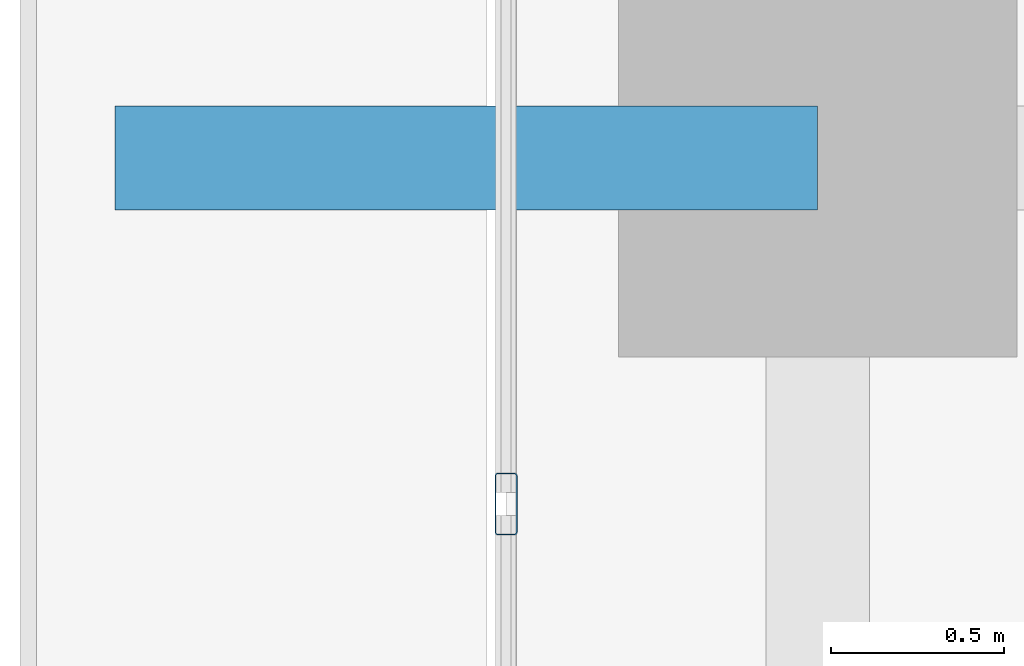
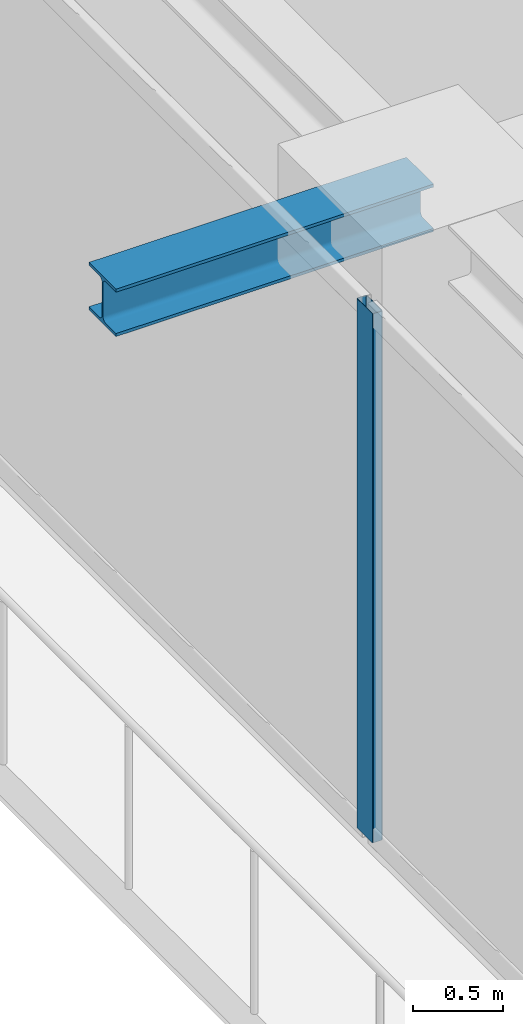
# One storey, part 9 of 38: 1 beam, 1 member, 1 element without a shape of its own.
"""IFC4 building model written with IfcOpenShell, lengths in metres."""

from ifc_helpers import new_model, si_unit, direction, frame, origin, origin_2d, place, context, subcontext, project, spatial, hollow_rectangle, i_section, extrude, source, transform, mapped, material, layer, layer_set, material_profile, profile_set, type_object, element, aggregate, save


model = new_model("IFC4")

# Units and contexts
model_context = context("Model", 3, precision=1e-05, world=origin(), true_north=direction((0.0, 1.0)))
body_context = subcontext(model_context, "Body", "Model", "MODEL_VIEW")
ifc_project = project(units=[si_unit("LENGTHUNIT", "METRE"), si_unit("AREAUNIT", "SQUARE_METRE"), si_unit("VOLUMEUNIT", "CUBIC_METRE"), si_unit("PLANEANGLEUNIT", "RADIAN"), si_unit("MASSUNIT", "GRAM", prefix="KILO")], contexts=[model_context])

# Site, building, storey
site_placement = place(None, origin())
site = spatial("IfcSite", under=ifc_project, at=site_placement, CompositionType="ELEMENT")
building_placement = place(site_placement, origin())
building = spatial("IfcBuilding", under=site, at=building_placement, Name="Serunith Strait Residences", CompositionType="ELEMENT")
storey_placement = place(building_placement, frame((0.0, 0.0, 229.699951171875)))
storey = spatial("IfcBuildingStorey", under=building, at=storey_placement, Name="L57", CompositionType="ELEMENT", Elevation=229.699951171875)

# Beam
ifc_material_1 = material(Name="Steel S355J2", Category="steel")
ifc_material_profile_1 = material_profile(ifc_material_1, i_section(OverallWidth=0.300048828125, OverallDepth=0.320068359375, WebThickness=0.011474609375, FlangeThickness=0.0205078125, FilletRadius=0.027099609375, at=origin_2d()), Name="HEB 320")
ifc_profile_set_1 = profile_set([ifc_material_profile_1], Name="Steel S355J2")
beam_type = type_object("IfcBeamType", Name="BM-HEB320", PredefinedType="BEAM", material=ifc_profile_set_1)
shared_shape_1 = source(origin(), body_context, "Body", "SweptSolid", [
    extrude(i_section(OverallWidth=0.300048828125, OverallDepth=0.320068359375, WebThickness=0.011474609375, FlangeThickness=0.0205078125, FilletRadius=0.027099609375, at=origin_2d()), origin(), (0.0, 0.0, 1.0), 2.030029296875),
])
beam_placement = place(storey_placement, frame((8.300048828125, 29.39990234375, 3.39697265625), z_axis=(-1.0, 0.0, 0.0), x_axis=(0.0, -1.0, 0.0)))
element("IfcBeam", 1, at=beam_placement, inside=storey, type_object=beam_type, Name="L58 Cantilevered Balcony Rib TC-W3", PredefinedType="BEAM", context=body_context, shape_type="MappedRepresentation", body=[
    mapped(shared_shape_1, transform((0.0, 0.0, 0.0), scale=1.0)),
])

# Curtain wall, member
ifc_material_2 = material(Name="Pale-Champagne Anodised Aluminium", Category="aluminium")
ifc_layer = layer(ifc_material_2, 0.199951171875, Name="Pale-Champagne Anodised Aluminium")
ifc_layer_set = layer_set([ifc_layer], Name="Pale-Champagne Anodised Aluminium")
curtain_wall_type = type_object("IfcCurtainWallType", Name="CW-SYS4", PredefinedType="NOTDEFINED", material=ifc_layer_set)
curtain_wall_placement = place(storey_placement, origin())
curtain_wall = element("IfcCurtainWall", 2, at=curtain_wall_placement, inside=storey, type_object=curtain_wall_type, Name="L57 W Unitised Fritted Curtain Wall", PredefinedType="NOTDEFINED")
ifc_material_profile_2 = material_profile(ifc_material_2, hollow_rectangle(XDim=0.06494140625, YDim=0.179931640625, WallThickness=0.00341796875, InnerFilletRadius=0.00537109375, OuterFilletRadius=0.0087890625, at=origin_2d()), Name="ALU 180x65x3.5")
ifc_profile_set_2 = profile_set([ifc_material_profile_2], Name="Pale-Champagne Anodised Aluminium")
member_type = type_object("IfcMemberType", Name="CW-SYS4-MULL", PredefinedType="MULLION", material=ifc_profile_set_2)
shared_shape_2 = source(origin(), body_context, "Body", "SweptSolid", [
    extrude(hollow_rectangle(XDim=0.06494140625, YDim=0.179931640625, WallThickness=0.00341796875, InnerFilletRadius=0.00537109375, OuterFilletRadius=0.0087890625, at=origin_2d()), origin(), (0.0, 0.0, 1.0), 3.574951171875),
])
member_placement = place(storey_placement, frame((7.39990234375, 28.39990234375, 0.0), z_axis=(0.0, 0.0, 1.0), x_axis=(1.0, 0.0, 0.0)))
member = element("IfcMember", 3, at=member_placement, type_object=member_type, Name="CW-4 mullion 3", PredefinedType="MULLION", context=body_context, shape_type="MappedRepresentation", body=[
    mapped(shared_shape_2, transform((0.0, 0.0, 0.0), scale=1.0)),
])
aggregate(curtain_wall, [member])

save(model, "model.ifc")
